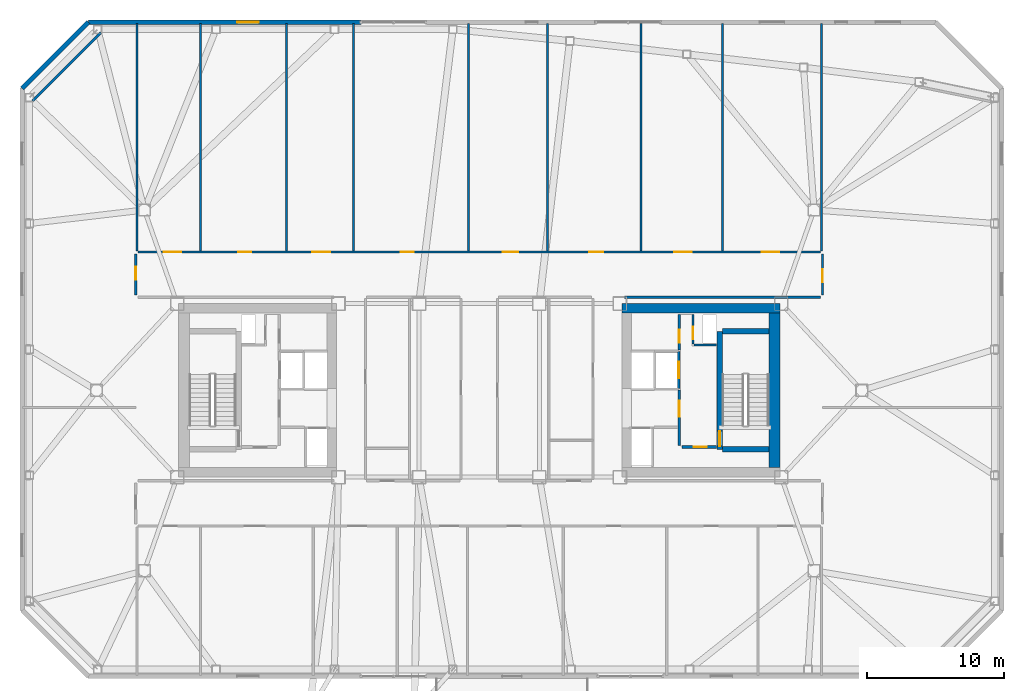
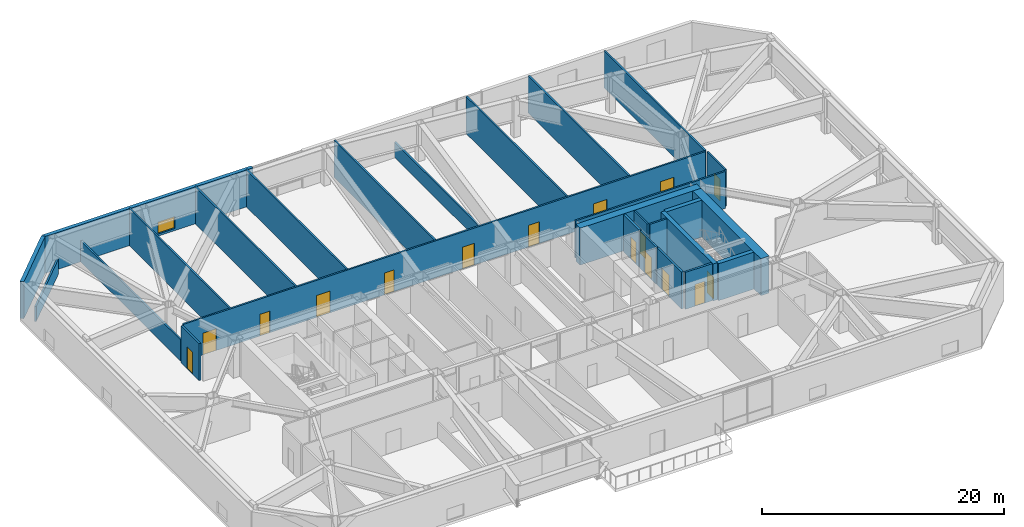
# One storey, part 12 of 18: 27 walls, 16 doors, 1 window, 17 openings.
"""IFC4 building model written with IfcOpenShell, lengths in metres."""

from ifc_helpers import new_model, si_unit, direction, frame, frame_2d, origin, place, context, subcontext, project, spatial, rectangle, extrude, material, layer, layer_set, type_object, element, fill, save


model = new_model("IFC4")

# Units and contexts
model_context = context("Model", 3, precision=1e-05, world=origin(), true_north=direction((0.0, 1.0)))
body_context = subcontext(model_context, "Body", "Model", "MODEL_VIEW")
ifc_project = project(units=[si_unit("LENGTHUNIT", "METRE"), si_unit("AREAUNIT", "SQUARE_METRE"), si_unit("VOLUMEUNIT", "CUBIC_METRE"), si_unit("PLANEANGLEUNIT", "RADIAN"), si_unit("MASSUNIT", "GRAM", prefix="KILO")], contexts=[model_context])

# Site, building, storey
site_placement = place(None, origin())
site = spatial("IfcSite", under=ifc_project, at=site_placement, CompositionType="ELEMENT")
building_placement = place(site_placement, origin())
building = spatial("IfcBuilding", under=site, at=building_placement, Name="Tavrogorsk Clinical Tower", CompositionType="ELEMENT")
storey_placement = place(building_placement, frame((0.0, 0.0, 152.199951171875)))
storey = spatial("IfcBuildingStorey", under=building, at=storey_placement, Name="L34", CompositionType="ELEMENT", Elevation=152.199951171875)

# Wall, opening, door
ifc_material_1 = material(Name="Concrete B60", Category="concrete")
ifc_layer_1 = layer(ifc_material_1, 0.199951171875)
ifc_layer_set_1 = layer_set([ifc_layer_1], Name="Concrete B60")
wall_type_1 = type_object("IfcWallType", Name="CoreFireWall_200", PredefinedType="SOLIDWALL", material=ifc_layer_set_1)
wall_1_placement = place(storey_placement, frame((14.824951171875, -4.139892578125, 0.0), z_axis=(0.0, 0.0, 1.0), x_axis=(1.0, 0.0, 0.0)))
wall_1 = element("IfcWall", 1, at=wall_1_placement, inside=storey, type_object=wall_type_1, Name="L34 Core East South Core Room Fire Wall", PredefinedType="SOLIDWALL", context=body_context, shape_type="SweptSolid", body=[
    extrude(rectangle(XDim=2.554931640625, YDim=0.199951171875, at=frame_2d((1.27734375, 0.0))), origin(), (0.0, 0.0, 1.0), 3.739990234375),
])
opening_1_placement = place(wall_1_placement, frame((0.8798828125, 0.0, 0.0)))
opening_1 = element("IfcOpeningElement", 2, at=opening_1_placement, cuts=wall_1, Name="Opening ID-02", PredefinedType="OPENING", context=body_context, shape_type="SweptSolid", body=[
    extrude(rectangle(XDim=0.949951171875, YDim=2.199951171875, at=frame_2d((0.47509765625, 1.10009765625))), frame((0.0, 0.10986328125, 0.0), z_axis=(0.0, -1.0, 0.0), x_axis=(1.0, 0.0, 0.0)), (0.0, 0.0, 1.0), 0.219970703125),
])
ifc_material_2 = material(Name="Laminated timber leaf on aluminium frame", Category="wood")
door_type_1 = type_object("IfcDoorType", Name="InteriorDoor_ID02_950", OperationType="NOTDEFINED", PredefinedType="DOOR", material=ifc_material_2)
door_1_placement = place(opening_1_placement, origin())
door_1 = element("IfcDoor", 3, at=door_1_placement, inside=storey, type_object=door_type_1, Name="L34 Core East South Core Room Door", OperationType="SINGLE_SWING_RIGHT", OverallHeight=2.199951171875, OverallWidth=0.949951171875, PredefinedType="DOOR", context=body_context, shape_type="SweptSolid", body=[
    extrude(rectangle(XDim=0.949951171875, YDim=2.199951171875, at=frame_2d((0.47509765625, 1.10009765625))), frame((0.0, 0.02490234375, 0.0), z_axis=(0.0, -1.0, 0.0), x_axis=(1.0, 0.0, 0.0)), (0.0, 0.0, 1.0), 0.050048828125),
])
fill(opening_1, door_1)

wall_2_placement = place(storey_placement, frame((14.639892578125, 2.9599609375, 0.0), z_axis=(0.0, 0.0, 1.0), x_axis=(0.0, 1.0, 0.0)))
wall_2 = element("IfcWall", 4, at=wall_2_placement, inside=storey, type_object=wall_type_1, Name="L34 Core East North Core Room East Wall", PredefinedType="SOLIDWALL", context=body_context, shape_type="SweptSolid", body=[
    extrude(rectangle(XDim=2.60009765625, YDim=0.199951171875, at=frame_2d((1.300048828125, 0.0))), origin(), (0.0, 0.0, 1.0), 3.739990234375),
])
opening_2_placement = place(wall_2_placement, frame((0.52001953125, 0.0, 0.0)))
opening_2 = element("IfcOpeningElement", 5, at=opening_2_placement, cuts=wall_2, Name="Opening ID-02", PredefinedType="OPENING", context=body_context, shape_type="SweptSolid", body=[
    extrude(rectangle(XDim=0.949951171875, YDim=2.199951171875, at=frame_2d((0.47509765625, 1.10009765625))), frame((0.0, 0.10986328125, 0.0), z_axis=(0.0, -1.0, 0.0), x_axis=(1.0, 0.0, 0.0)), (0.0, 0.0, 1.0), 0.219970703125),
])
door_2_placement = place(opening_2_placement, origin())
door_2 = element("IfcDoor", 6, at=door_2_placement, inside=storey, type_object=door_type_1, Name="L34 Core East Core Telemetry Room Door", OperationType="SINGLE_SWING_LEFT", OverallHeight=2.199951171875, OverallWidth=0.949951171875, PredefinedType="DOOR", context=body_context, shape_type="SweptSolid", body=[
    extrude(rectangle(XDim=0.949951171875, YDim=2.199951171875, at=frame_2d((0.47509765625, 1.10009765625))), frame((0.0, 0.02490234375, 0.0), z_axis=(0.0, -1.0, 0.0), x_axis=(1.0, 0.0, 0.0)), (0.0, 0.0, 1.0), 0.050048828125),
])
fill(opening_2, door_2)

wall_3_placement = place(storey_placement, frame((14.639892578125, -4.034912109375, 0.0), z_axis=(0.0, 0.0, 1.0), x_axis=(0.0, 1.0, 0.0)))
wall_3 = element("IfcWall", 7, at=wall_3_placement, inside=storey, type_object=wall_type_1, Name="L34 Core East Firefighting Lobby Fire Wall", PredefinedType="SOLIDWALL", context=body_context, shape_type="SweptSolid", body=[
    extrude(rectangle(XDim=4.074951171875, YDim=0.199951171875, at=frame_2d((2.03759765625, 0.0))), origin(), (0.0, 0.0, 1.0), 3.739990234375),
])
opening_3_placement = place(wall_3_placement, frame((2.090087890625, 0.0, 0.0)))
opening_3 = element("IfcOpeningElement", 8, at=opening_3_placement, cuts=wall_3, Name="Opening FD-01", PredefinedType="OPENING", context=body_context, shape_type="SweptSolid", body=[
    extrude(rectangle(XDim=1.199951171875, YDim=2.199951171875, at=frame_2d((0.60009765625, 1.10009765625))), frame((0.0, 0.10986328125, 0.0), z_axis=(0.0, -1.0, 0.0), x_axis=(1.0, 0.0, 0.0)), (0.0, 0.0, 1.0), 0.219970703125),
])
ifc_material_3 = material(Name="Galvanised steel fire-rated door assembly", Category="steel")
door_type_2 = type_object("IfcDoorType", Name="FireDoor_FD01_1200", OperationType="NOTDEFINED", PredefinedType="DOOR", material=ifc_material_3)
door_3_placement = place(opening_3_placement, origin())
door_3 = element("IfcDoor", 9, at=door_3_placement, inside=storey, type_object=door_type_2, Name="L34 Core East Firefighting Lobby Entry Door", OperationType="SINGLE_SWING_RIGHT", OverallHeight=2.199951171875, OverallWidth=1.199951171875, PredefinedType="DOOR", context=body_context, shape_type="SweptSolid", body=[
    extrude(rectangle(XDim=1.199951171875, YDim=2.199951171875, at=frame_2d((0.60009765625, 1.10009765625))), frame((0.0, 0.02490234375, 0.0), z_axis=(0.0, -1.0, 0.0), x_axis=(1.0, 0.0, 0.0)), (0.0, 0.0, 1.0), 0.050048828125),
])
fill(opening_3, door_3)

# Wall
ifc_material_4 = material(Name="Lightweight concrete blockwork B15", Category="masonry")
ifc_layer_2 = layer(ifc_material_4, 0.159912109375)
ifc_layer_set_2 = layer_set([ifc_layer_2], Name="Lightweight concrete blockwork B15")
wall_type_2 = type_object("IfcWallType", Name="PartitionWall_160", PredefinedType="PARTITIONING", material=ifc_layer_set_2)
wall_4_placement = place(storey_placement, frame((-27.6796875, 26.1796875, 0.0), z_axis=(0.0, 0.0, 1.0), x_axis=(-0.707106781187, -0.707106781187, 0.0)))
element("IfcWall", 10, at=wall_4_placement, inside=storey, type_object=wall_type_2, Name="L34 Corner Exoskeleton Brace Furring Wall 3", PredefinedType="PARTITIONING", context=body_context, shape_type="SweptSolid", body=[
    extrude(rectangle(XDim=7.071044921875, YDim=0.159912109375, at=frame_2d((3.53564453125, 0.0))), origin(), (0.0, 0.0, 1.0), 1.53515625),
])

# Wall, opening, door
wall_5_placement = place(storey_placement, frame((-25.1298828125, 6.985107421875, 0.0), z_axis=(0.0, 0.0, 1.0), x_axis=(0.0, 1.0, 0.0)))
wall_5 = element("IfcWall", 11, at=wall_5_placement, inside=storey, type_object=wall_type_2, Name="L34 Corridor Partition 04", PredefinedType="PARTITIONING", context=body_context, shape_type="SweptSolid", body=[
    extrude(rectangle(XDim=2.97998046875, YDim=0.159912109375, at=frame_2d((1.489990234375, 0.0))), origin(), (0.0, 0.0, 1.0), 3.739990234375),
])
opening_4_placement = place(wall_5_placement, frame((1.10009765625, 0.0, 0.0)))
opening_4 = element("IfcOpeningElement", 12, at=opening_4_placement, cuts=wall_5, Name="Opening ID-02", PredefinedType="OPENING", context=body_context, shape_type="SweptSolid", body=[
    extrude(rectangle(XDim=0.949951171875, YDim=2.199951171875, at=frame_2d((0.47509765625, 1.10009765625))), frame((0.0, 0.08984375, 0.0), z_axis=(0.0, -1.0, 0.0), x_axis=(1.0, 0.0, 0.0)), (0.0, 0.0, 1.0), 0.179931640625),
])
door_4_placement = place(opening_4_placement, origin())
door_4 = element("IfcDoor", 13, at=door_4_placement, inside=storey, type_object=door_type_1, Name="L34 W Rehabilitation Therapy Suite 2 Door", OperationType="SINGLE_SWING_RIGHT", OverallHeight=2.199951171875, OverallWidth=0.949951171875, PredefinedType="DOOR", context=body_context, shape_type="SweptSolid", body=[
    extrude(rectangle(XDim=0.949951171875, YDim=2.199951171875, at=frame_2d((0.47509765625, 1.10009765625))), frame((0.0, 0.02490234375, 0.0), z_axis=(0.0, -1.0, 0.0), x_axis=(1.0, 0.0, 0.0)), (0.0, 0.0, 1.0), 0.050048828125),
])
fill(opening_4, door_4)

# Wall, openings, doors
wall_6_placement = place(storey_placement, frame((-24.965087890625, 10.1298828125, 0.0), z_axis=(0.0, 0.0, 1.0), x_axis=(1.0, 0.0, 0.0)))
wall_6 = element("IfcWall", 14, at=wall_6_placement, inside=storey, type_object=wall_type_2, Name="L34 Corridor Partition 05", PredefinedType="PARTITIONING", context=body_context, shape_type="SweptSolid", body=[
    extrude(rectangle(XDim=49.93017578125, YDim=0.159912109375, at=frame_2d((24.965087890625, 0.0))), origin(), (0.0, 0.0, 1.0), 3.739990234375),
])
opening_5_placement = place(wall_6_placement, frame((1.869140625, 0.0, 0.0)))
opening_5 = element("IfcOpeningElement", 15, at=opening_5_placement, cuts=wall_6, Name="Opening ID-01", PredefinedType="OPENING", context=body_context, shape_type="SweptSolid", body=[
    extrude(rectangle(XDim=1.300048828125, YDim=2.199951171875, at=frame_2d((0.64990234375, 1.10009765625))), frame((0.0, 0.08984375, 0.0), z_axis=(0.0, -1.0, 0.0), x_axis=(1.0, 0.0, 0.0)), (0.0, 0.0, 1.0), 0.179931640625),
])
opening_6_placement = place(wall_6_placement, frame((7.330078125, 0.0, 0.0)))
opening_6 = element("IfcOpeningElement", 16, at=opening_6_placement, cuts=wall_6, Name="Opening ID-02", PredefinedType="OPENING", context=body_context, shape_type="SweptSolid", body=[
    extrude(rectangle(XDim=0.949951171875, YDim=2.199951171875, at=frame_2d((0.47509765625, 1.10009765625))), frame((0.0, 0.08984375, 0.0), z_axis=(0.0, -1.0, 0.0), x_axis=(1.0, 0.0, 0.0)), (0.0, 0.0, 1.0), 0.179931640625),
])
opening_7_placement = place(wall_6_placement, frame((12.7548828125, 0.0, 0.0)))
opening_7 = element("IfcOpeningElement", 17, at=opening_7_placement, cuts=wall_6, Name="Opening ID-01", PredefinedType="OPENING", context=body_context, shape_type="SweptSolid", body=[
    extrude(rectangle(XDim=1.300048828125, YDim=2.199951171875, at=frame_2d((0.64990234375, 1.10009765625))), frame((0.0, 0.08984375, 0.0), z_axis=(0.0, -1.0, 0.0), x_axis=(1.0, 0.0, 0.0)), (0.0, 0.0, 1.0), 0.179931640625),
])
opening_8_placement = place(wall_6_placement, frame((19.22509765625, 0.0, 0.0)))
opening_8 = element("IfcOpeningElement", 18, at=opening_8_placement, cuts=wall_6, Name="Opening ID-02", PredefinedType="OPENING", context=body_context, shape_type="SweptSolid", body=[
    extrude(rectangle(XDim=0.949951171875, YDim=2.199951171875, at=frame_2d((0.47509765625, 1.10009765625))), frame((0.0, 0.08984375, 0.0), z_axis=(0.0, -1.0, 0.0), x_axis=(1.0, 0.0, 0.0)), (0.0, 0.0, 1.0), 0.179931640625),
])
opening_9_placement = place(wall_6_placement, frame((26.68505859375, 0.0, 0.0)))
opening_9 = element("IfcOpeningElement", 19, at=opening_9_placement, cuts=wall_6, Name="Opening ID-06", PredefinedType="OPENING", context=body_context, shape_type="SweptSolid", body=[
    extrude(rectangle(XDim=1.14990234375, YDim=2.199951171875, at=frame_2d((0.574951171875, 1.10009765625))), frame((0.0, 0.08984375, 0.0), z_axis=(0.0, -1.0, 0.0), x_axis=(1.0, 0.0, 0.0)), (0.0, 0.0, 1.0), 0.179931640625),
])
opening_10_placement = place(wall_6_placement, frame((33.0, 0.0, 0.0)))
opening_10 = element("IfcOpeningElement", 20, at=opening_10_placement, cuts=wall_6, Name="Opening ID-04", PredefinedType="OPENING", context=body_context, shape_type="SweptSolid", body=[
    extrude(rectangle(XDim=1.050048828125, YDim=2.199951171875, at=frame_2d((0.52490234375, 1.10009765625))), frame((0.0, 0.08984375, 0.0), z_axis=(0.0, -1.0, 0.0), x_axis=(1.0, 0.0, 0.0)), (0.0, 0.0, 1.0), 0.179931640625),
])
opening_11_placement = place(wall_6_placement, frame((39.22509765625, 0.0, 0.0)))
opening_11 = element("IfcOpeningElement", 21, at=opening_11_placement, cuts=wall_6, Name="Opening ID-01", PredefinedType="OPENING", context=body_context, shape_type="SweptSolid", body=[
    extrude(rectangle(XDim=1.300048828125, YDim=2.199951171875, at=frame_2d((0.64990234375, 1.10009765625))), frame((0.0, 0.08984375, 0.0), z_axis=(0.0, -1.0, 0.0), x_axis=(1.0, 0.0, 0.0)), (0.0, 0.0, 1.0), 0.179931640625),
])
opening_12_placement = place(wall_6_placement, frame((45.630859375, 0.0, 0.0)))
opening_12 = element("IfcOpeningElement", 22, at=opening_12_placement, cuts=wall_6, Name="Opening ID-01", PredefinedType="OPENING", context=body_context, shape_type="SweptSolid", body=[
    extrude(rectangle(XDim=1.300048828125, YDim=2.199951171875, at=frame_2d((0.64990234375, 1.10009765625))), frame((0.0, 0.08984375, 0.0), z_axis=(0.0, -1.0, 0.0), x_axis=(1.0, 0.0, 0.0)), (0.0, 0.0, 1.0), 0.179931640625),
])
ifc_material_5 = material(Name="Antibacterial HPL consultation door on aluminium frame", Category="aluminium")
door_type_3 = type_object("IfcDoorType", Name="ConsultDoor_ID04_1050", OperationType="NOTDEFINED", PredefinedType="DOOR", material=ifc_material_5)
door_5_placement = place(opening_10_placement, origin())
door_5 = element("IfcDoor", 23, at=door_5_placement, inside=storey, type_object=door_type_3, Name="L34 North Physiotherapy Rehab Studio 04A Door", OperationType="SINGLE_SWING_RIGHT", OverallHeight=2.199951171875, OverallWidth=1.050048828125, PredefinedType="DOOR", context=body_context, shape_type="SweptSolid", body=[
    extrude(rectangle(XDim=1.050048828125, YDim=2.199951171875, at=frame_2d((0.52490234375, 1.10009765625))), frame((0.0, 0.02490234375, 0.0), z_axis=(0.0, -1.0, 0.0), x_axis=(1.0, 0.0, 0.0)), (0.0, 0.0, 1.0), 0.050048828125),
])
fill(opening_10, door_5)
door_6_placement = place(opening_6_placement, origin())
door_6 = element("IfcDoor", 24, at=door_6_placement, inside=storey, type_object=door_type_1, Name="L34 North Clinical Examination Suite 02A Door", OperationType="SINGLE_SWING_RIGHT", OverallHeight=2.199951171875, OverallWidth=0.949951171875, PredefinedType="DOOR", context=body_context, shape_type="SweptSolid", body=[
    extrude(rectangle(XDim=0.949951171875, YDim=2.199951171875, at=frame_2d((0.47509765625, 1.10009765625))), frame((0.0, 0.02490234375, 0.0), z_axis=(0.0, -1.0, 0.0), x_axis=(1.0, 0.0, 0.0)), (0.0, 0.0, 1.0), 0.050048828125),
])
fill(opening_6, door_6)
door_7_placement = place(opening_8_placement, origin())
door_7 = element("IfcDoor", 25, at=door_7_placement, inside=storey, type_object=door_type_1, Name="L34 North Diagnostic Ultrasound Suite 03A Door", OperationType="SINGLE_SWING_RIGHT", OverallHeight=2.199951171875, OverallWidth=0.949951171875, PredefinedType="DOOR", context=body_context, shape_type="SweptSolid", body=[
    extrude(rectangle(XDim=0.949951171875, YDim=2.199951171875, at=frame_2d((0.47509765625, 1.10009765625))), frame((0.0, 0.02490234375, 0.0), z_axis=(0.0, -1.0, 0.0), x_axis=(1.0, 0.0, 0.0)), (0.0, 0.0, 1.0), 0.050048828125),
])
fill(opening_8, door_7)
ifc_material_6 = material(Name="Antibacterial HPL procedure door on aluminium frame", Category="aluminium")
door_type_4 = type_object("IfcDoorType", Name="LabDoor_ID06_1150", OperationType="NOTDEFINED", PredefinedType="DOOR", material=ifc_material_6)
door_8_placement = place(opening_9_placement, origin())
door_8 = element("IfcDoor", 26, at=door_8_placement, inside=storey, type_object=door_type_4, Name="L34 North Multidisciplinary Case Room 03B Door", OperationType="SINGLE_SWING_LEFT", OverallHeight=2.199951171875, OverallWidth=1.14990234375, PredefinedType="DOOR", context=body_context, shape_type="SweptSolid", body=[
    extrude(rectangle(XDim=1.14990234375, YDim=2.199951171875, at=frame_2d((0.574951171875, 1.10009765625))), frame((0.0, 0.02490234375, 0.0), z_axis=(0.0, -1.0, 0.0), x_axis=(1.0, 0.0, 0.0)), (0.0, 0.0, 1.0), 0.050048828125),
])
fill(opening_9, door_8)
ifc_material_7 = material(Name="Antibacterial HPL medical leaf on aluminium frame", Category="aluminium")
door_type_5 = type_object("IfcDoorType", Name="WardBedDoor_ID01_1300", OperationType="NOTDEFINED", PredefinedType="DOOR", material=ifc_material_7)
door_9_placement = place(opening_5_placement, origin())
door_9 = element("IfcDoor", 27, at=door_9_placement, inside=storey, type_object=door_type_5, Name="L34 North Inpatient Clinical Ward 01 Door", OperationType="SINGLE_SWING_LEFT", OverallHeight=2.199951171875, OverallWidth=1.300048828125, PredefinedType="DOOR", context=body_context, shape_type="SweptSolid", body=[
    extrude(rectangle(XDim=1.300048828125, YDim=2.199951171875, at=frame_2d((0.64990234375, 1.10009765625))), frame((0.0, 0.02490234375, 0.0), z_axis=(0.0, -1.0, 0.0), x_axis=(1.0, 0.0, 0.0)), (0.0, 0.0, 1.0), 0.050048828125),
])
fill(opening_5, door_9)
door_10_placement = place(opening_7_placement, origin())
door_10 = element("IfcDoor", 28, at=door_10_placement, inside=storey, type_object=door_type_5, Name="L34 North Sub-Acute Recovery Ward 02B Door", OperationType="SINGLE_SWING_LEFT", OverallHeight=2.199951171875, OverallWidth=1.300048828125, PredefinedType="DOOR", context=body_context, shape_type="SweptSolid", body=[
    extrude(rectangle(XDim=1.300048828125, YDim=2.199951171875, at=frame_2d((0.64990234375, 1.10009765625))), frame((0.0, 0.02490234375, 0.0), z_axis=(0.0, -1.0, 0.0), x_axis=(1.0, 0.0, 0.0)), (0.0, 0.0, 1.0), 0.050048828125),
])
fill(opening_7, door_10)
door_11_placement = place(opening_11_placement, origin())
door_11 = element("IfcDoor", 29, at=door_11_placement, inside=storey, type_object=door_type_5, Name="L34 North Inpatient Clinical Ward 04B Door", OperationType="SINGLE_SWING_LEFT", OverallHeight=2.199951171875, OverallWidth=1.300048828125, PredefinedType="DOOR", context=body_context, shape_type="SweptSolid", body=[
    extrude(rectangle(XDim=1.300048828125, YDim=2.199951171875, at=frame_2d((0.64990234375, 1.10009765625))), frame((0.0, 0.02490234375, 0.0), z_axis=(0.0, -1.0, 0.0), x_axis=(1.0, 0.0, 0.0)), (0.0, 0.0, 1.0), 0.050048828125),
])
fill(opening_11, door_11)
door_12_placement = place(opening_12_placement, origin())
door_12 = element("IfcDoor", 30, at=door_12_placement, inside=storey, type_object=door_type_5, Name="L34 North Step-Down Telemetry Ward 05 Door", OperationType="SINGLE_SWING_RIGHT", OverallHeight=2.199951171875, OverallWidth=1.300048828125, PredefinedType="DOOR", context=body_context, shape_type="SweptSolid", body=[
    extrude(rectangle(XDim=1.300048828125, YDim=2.199951171875, at=frame_2d((0.64990234375, 1.10009765625))), frame((0.0, 0.02490234375, 0.0), z_axis=(0.0, -1.0, 0.0), x_axis=(1.0, 0.0, 0.0)), (0.0, 0.0, 1.0), 0.050048828125),
])
fill(opening_12, door_12)

# Wall, opening, door
wall_7_placement = place(storey_placement, frame((25.1298828125, 9.965087890625, 0.0), z_axis=(0.0, 0.0, 1.0), x_axis=(0.0, -1.0, 0.0)))
wall_7 = element("IfcWall", 31, at=wall_7_placement, inside=storey, type_object=wall_type_2, Name="L34 Corridor Partition 06", PredefinedType="PARTITIONING", context=body_context, shape_type="SweptSolid", body=[
    extrude(rectangle(XDim=2.97998046875, YDim=0.159912109375, at=frame_2d((1.489990234375, 0.0))), origin(), (0.0, 0.0, 1.0), 3.739990234375),
])
opening_13_placement = place(wall_7_placement, frame((1.10009765625, 0.0, 0.0)))
opening_13 = element("IfcOpeningElement", 32, at=opening_13_placement, cuts=wall_7, Name="Opening ID-02", PredefinedType="OPENING", context=body_context, shape_type="SweptSolid", body=[
    extrude(rectangle(XDim=0.949951171875, YDim=2.199951171875, at=frame_2d((0.47509765625, 1.10009765625))), frame((0.0, 0.08984375, 0.0), z_axis=(0.0, -1.0, 0.0), x_axis=(1.0, 0.0, 0.0)), (0.0, 0.0, 1.0), 0.179931640625),
])
door_13_placement = place(opening_13_placement, origin())
door_13 = element("IfcDoor", 33, at=door_13_placement, inside=storey, type_object=door_type_1, Name="L34 E Multidisciplinary Seminar Suite 2 Door", OperationType="SINGLE_SWING_RIGHT", OverallHeight=2.199951171875, OverallWidth=0.949951171875, PredefinedType="DOOR", context=body_context, shape_type="SweptSolid", body=[
    extrude(rectangle(XDim=0.949951171875, YDim=2.199951171875, at=frame_2d((0.47509765625, 1.10009765625))), frame((0.0, 0.02490234375, 0.0), z_axis=(0.0, -1.0, 0.0), x_axis=(1.0, 0.0, 0.0)), (0.0, 0.0, 1.0), 0.050048828125),
])
fill(opening_13, door_13)

# Walls
wall_8_placement = place(storey_placement, frame((24.965087890625, 6.820068359375, 0.0), z_axis=(0.0, 0.0, 1.0), x_axis=(-1.0, 0.0, 0.0)))
element("IfcWall", 34, at=wall_8_placement, inside=storey, type_object=wall_type_2, Name="L34 Corridor Partition 07", PredefinedType="PARTITIONING", context=body_context, shape_type="SweptSolid", body=[
    extrude(rectangle(XDim=14.335205078125, YDim=0.159912109375, at=frame_2d((7.16748046875, 0.0))), origin(), (0.0, 0.0, 1.0), 3.739990234375),
])
wall_9_placement = place(storey_placement, frame((-25.050048828125, 10.215087890625, 0.0), z_axis=(0.0, 0.0, 1.0), x_axis=(0.0, 1.0, 0.0)))
element("IfcWall", 35, at=wall_9_placement, inside=storey, type_object=wall_type_2, Name="L34 NW Wing Closure Partition", PredefinedType="PARTITIONING", context=body_context, shape_type="SweptSolid", body=[
    extrude(rectangle(XDim=16.64501953125, YDim=0.159912109375, at=frame_2d((8.322509765625, 0.0))), origin(), (0.0, 0.0, 1.0), 2.135009765625),
])
for number, where, z_axis, x_axis, name in (
    (36, (25.050048828125, 10.215087890625, 0.0), (0.0, 0.0, 1.0), (0.0, 1.0, 0.0), "L34 NE Wing Closure Partition"),
    (37, (-20.39990234375, 10.215087890625, 0.0), (0.0, 0.0, 1.0), (0.0, 1.0, 0.0), "L34 North Room Partition 1"),
    (38, (-9.199951171875, 10.215087890625, 0.0), (0.0, 0.0, 1.0), (0.0, 1.0, 0.0), "L34 North Room Partition 2"),
):
    element("IfcWall", number, at=place(storey_placement, frame(where, z_axis=z_axis, x_axis=x_axis)), inside=storey, type_object=wall_type_2, Name=name, PredefinedType="PARTITIONING", context=body_context, shape_type="SweptSolid", body=[
        extrude(rectangle(XDim=16.64501953125, YDim=0.159912109375, at=frame_2d((8.322509765625, 0.0))), origin(), (0.0, 0.0, 1.0), 3.739990234375),
    ])
wall_10_placement = place(storey_placement, frame((5.0, 10.215087890625, 0.0), z_axis=(0.0, 0.0, 1.0), x_axis=(0.0, 1.0, 0.0)))
element("IfcWall", 39, at=wall_10_placement, inside=storey, type_object=wall_type_2, Name="L34 North Room Partition 3", PredefinedType="PARTITIONING", context=body_context, shape_type="SweptSolid", body=[
    extrude(rectangle(XDim=16.64501953125, YDim=0.159912109375, at=frame_2d((8.322509765625, 0.0))), origin(), (0.0, 0.0, 1.0), 1.53515625),
])
for number, where, z_axis, x_axis, name in (
    (40, (17.800048828125, 10.215087890625, 0.0), (0.0, 0.0, 1.0), (0.0, 1.0, 0.0), "L34 North Room Partition 4"),
    (41, (-14.090087890625, 10.215087890625, 0.0), (0.0, 0.0, 1.0), (0.0, 1.0, 0.0), "L34 North Sub-Partition 2"),
    (42, (-0.780029296875, 10.215087890625, 0.0), (0.0, 0.0, 1.0), (0.0, 1.0, 0.0), "L34 North Sub-Partition 3"),
    (43, (11.85009765625, 10.215087890625, 0.0), (0.0, 0.0, 1.0), (0.0, 1.0, 0.0), "L34 North Sub-Partition 4"),
):
    element("IfcWall", number, at=place(storey_placement, frame(where, z_axis=z_axis, x_axis=x_axis)), inside=storey, type_object=wall_type_2, Name=name, PredefinedType="PARTITIONING", context=body_context, shape_type="SweptSolid", body=[
        extrude(rectangle(XDim=16.64501953125, YDim=0.159912109375, at=frame_2d((8.322509765625, 0.0))), origin(), (0.0, 0.0, 1.0), 3.739990234375),
    ])

# Wall, opening, window
ifc_material_8 = material(Name="Precast concrete B45 with limestone cladding", Category="masonry")
ifc_layer_3 = layer(ifc_material_8, 0.340087890625)
ifc_layer_set_3 = layer_set([ifc_layer_3], Name="Precast concrete B45 with limestone cladding")
wall_type_3 = type_object("IfcWallType", Name="PrecastLimestoneWall_340", PredefinedType="STANDARD", material=ifc_layer_set_3)
wall_11_placement = place(storey_placement, frame((-8.662841796875, 26.929931640625, 0.0), z_axis=(0.0, 0.0, 1.0), x_axis=(-1.0, 0.0, 0.0)))
wall_11 = element("IfcWall", 44, at=wall_11_placement, inside=storey, type_object=wall_type_3, Name="L34 N Limestone Facade Wall 3", PredefinedType="STANDARD", context=body_context, shape_type="SweptSolid", body=[
    extrude(rectangle(XDim=19.937255859375, YDim=0.340087890625, at=frame_2d((9.96875, 0.0))), origin(), (0.0, 0.0, 1.0), 3.739990234375),
])
opening_14_placement = place(wall_11_placement, frame((7.455322265625, 0.0, 0.219970703125)))
opening_14 = element("IfcOpeningElement", 45, at=opening_14_placement, cuts=wall_11, Name="Opening WN-09", PredefinedType="OPENING", context=body_context, shape_type="SweptSolid", body=[
    extrude(rectangle(XDim=1.60009765625, YDim=1.199951171875, at=frame_2d((0.800048828125, 0.60009765625))), frame((0.0, 0.179931640625, 0.0), z_axis=(0.0, -1.0, 0.0), x_axis=(1.0, 0.0, 0.0)), (0.0, 0.0, 1.0), 0.360107421875),
])
ifc_material_9 = material(Name="Thermally broken aluminium frame and triple IGU", Category="aluminium")
window_type = type_object("IfcWindowType", Name="LowHeadTransWin_1600x1200", PartitioningType="DOUBLE_PANEL_VERTICAL", PredefinedType="WINDOW", material=ifc_material_9)
window_placement = place(opening_14_placement, origin())
window = element("IfcWindow", 46, at=window_placement, inside=storey, type_object=window_type, Name="L34 N Chicago Window 03", OverallHeight=1.199951171875, OverallWidth=1.60009765625, PartitioningType="SINGLE_PANEL", PredefinedType="WINDOW", context=body_context, shape_type="SweptSolid", body=[
    extrude(rectangle(XDim=1.60009765625, YDim=1.199951171875, at=frame_2d((0.800048828125, 0.60009765625))), frame((0.0, 0.030029296875, 0.0), z_axis=(0.0, -1.0, 0.0), x_axis=(1.0, 0.0, 0.0)), (0.0, 0.0, 1.0), 0.06005859375),
])
fill(opening_14, window)

# Wall
wall_12_placement = place(storey_placement, frame((-28.60009765625, 26.929931640625, 0.0), z_axis=(0.0, 0.0, 1.0), x_axis=(-0.707106781187, -0.707106781187, 0.0)))
element("IfcWall", 47, at=wall_12_placement, inside=storey, type_object=wall_type_3, Name="L34 Chamfered Corner Wall 3", PredefinedType="STANDARD", context=body_context, shape_type="SweptSolid", body=[
    extrude(rectangle(XDim=6.830322265625, YDim=0.340087890625, at=frame_2d((3.4150390625, 0.0))), origin(), (0.0, 0.0, 1.0), 3.739990234375),
])

# Wall, opening, door
ifc_material_10 = material(Name="Lightweight concrete blockwork B25", Category="masonry")
ifc_layer_4 = layer(ifc_material_10, 0.159912109375)
ifc_layer_set_4 = layer_set([ifc_layer_4], Name="Lightweight concrete blockwork B25")
wall_type_4 = type_object("IfcWallType", Name="ShaftWall_160", PredefinedType="PARTITIONING", material=ifc_layer_set_4)
wall_13_placement = place(storey_placement, frame((14.60009765625, 0.1201171875, 0.0), z_axis=(0.0, 0.0, 1.0), x_axis=(0.0, 1.0, 0.0)))
wall_13 = element("IfcWall", 48, at=wall_13_placement, inside=storey, type_object=wall_type_4, Name="L34 FFL-E Firefighting Lift Front Wall", PredefinedType="PARTITIONING", context=body_context, shape_type="SweptSolid", body=[
    extrude(rectangle(XDim=2.739990234375, YDim=0.159912109375, at=frame_2d((1.3701171875, 0.0))), origin(), (0.0, 0.0, 1.0), 3.739990234375),
])
opening_15_placement = place(wall_13_placement, frame((0.77001953125, 0.0, 0.0)))
opening_15 = element("IfcOpeningElement", 49, at=opening_15_placement, cuts=wall_13, Name="Opening LD", PredefinedType="OPENING", context=body_context, shape_type="SweptSolid", body=[
    extrude(rectangle(XDim=1.199951171875, YDim=2.199951171875, at=frame_2d((0.60009765625, 1.10009765625))), frame((0.0, 0.08984375, 0.0), z_axis=(0.0, -1.0, 0.0), x_axis=(1.0, 0.0, 0.0)), (0.0, 0.0, 1.0), 0.179931640625),
])
ifc_material_11 = material(Name="Brushed stainless steel AISI 304 sliding doors", Category="steel")
door_type_6 = type_object("IfcDoorType", Name="LiftLandingDoor_LD_1200", OperationType="SLIDING_TO_LEFT", PredefinedType="DOOR", material=ifc_material_11)
door_14_placement = place(opening_15_placement, origin())
door_14 = element("IfcDoor", 50, at=door_14_placement, inside=storey, type_object=door_type_6, Name="L34 FFL-E Sliding Lift Landing Door", OperationType="SLIDING_TO_LEFT", OverallHeight=2.199951171875, OverallWidth=1.199951171875, PredefinedType="DOOR", context=body_context, shape_type="SweptSolid", body=[
    extrude(rectangle(XDim=1.199951171875, YDim=2.199951171875, at=frame_2d((0.60009765625, 1.10009765625))), frame((0.0, 0.02490234375, 0.0), z_axis=(0.0, -1.0, 0.0), x_axis=(1.0, 0.0, 0.0)), (0.0, 0.0, 1.0), 0.050048828125),
])
fill(opening_15, door_14)

wall_14_placement = place(storey_placement, frame((15.639892578125, 3.405029296875, 0.0), z_axis=(0.0, 0.0, 1.0), x_axis=(0.0, 1.0, 0.0)))
wall_14 = element("IfcWall", 51, at=wall_14_placement, inside=storey, type_object=wall_type_4, Name="L34 Core East Riser West Wall", PredefinedType="PARTITIONING", context=body_context, shape_type="SweptSolid", body=[
    extrude(rectangle(XDim=2.155029296875, YDim=0.159912109375, at=frame_2d((1.07763671875, 0.0))), origin(), (0.0, 0.0, 1.0), 3.739990234375),
])
opening_16_placement = place(wall_14_placement, frame((0.35009765625, 0.0, 0.0)))
opening_16 = element("IfcOpeningElement", 52, at=opening_16_placement, cuts=wall_14, Name="Opening FD-02", PredefinedType="OPENING", context=body_context, shape_type="SweptSolid", body=[
    extrude(rectangle(XDim=0.89990234375, YDim=2.199951171875, at=frame_2d((0.449951171875, 1.10009765625))), frame((0.0, 0.08984375, 0.0), z_axis=(0.0, -1.0, 0.0), x_axis=(1.0, 0.0, 0.0)), (0.0, 0.0, 1.0), 0.179931640625),
])
ifc_material_12 = material(Name="Galvanised steel fire-rated door assembly", Category="steel")
door_type_7 = type_object("IfcDoorType", Name="FireDoor_FD02_900", OperationType="NOTDEFINED", PredefinedType="DOOR", material=ifc_material_12)
door_15_placement = place(opening_16_placement, origin())
door_15 = element("IfcDoor", 53, at=door_15_placement, inside=storey, type_object=door_type_7, Name="L34 Core East Electrical Riser Access Door", OperationType="SINGLE_SWING_LEFT", OverallHeight=2.199951171875, OverallWidth=0.89990234375, PredefinedType="DOOR", context=body_context, shape_type="SweptSolid", body=[
    extrude(rectangle(XDim=0.89990234375, YDim=2.199951171875, at=frame_2d((0.449951171875, 1.10009765625))), frame((0.0, 0.02490234375, 0.0), z_axis=(0.0, -1.0, 0.0), x_axis=(1.0, 0.0, 0.0)), (0.0, 0.0, 1.0), 0.050048828125),
])
fill(opening_16, door_15)

# Wall
wall_15_placement = place(storey_placement, frame((15.72509765625, 3.320068359375, 0.0), z_axis=(0.0, 0.0, 1.0), x_axis=(1.0, 0.0, 0.0)))
element("IfcWall", 54, at=wall_15_placement, inside=storey, type_object=wall_type_4, Name="L34 Core East Riser South Wall", PredefinedType="PARTITIONING", context=body_context, shape_type="SweptSolid", body=[
    extrude(rectangle(XDim=1.65478515625, YDim=0.159912109375, at=frame_2d((0.827392578125, 0.0))), origin(), (0.0, 0.0, 1.0), 3.739990234375),
])

# Wall, opening, door
ifc_material_13 = material(Name="Concrete B80", Category="concrete")
ifc_layer_5 = layer(ifc_material_13, 0.39990234375)
ifc_layer_set_5 = layer_set([ifc_layer_5], Name="Concrete B80")
wall_type_5 = type_object("IfcWallType", Name="ShearWall_400", PredefinedType="SHEAR", material=ifc_layer_set_5)
wall_16_placement = place(storey_placement, frame((17.60009765625, -4.324951171875, 0.0), z_axis=(0.0, 0.0, 1.0), x_axis=(0.0, 1.0, 0.0)))
wall_16 = element("IfcWall", 55, at=wall_16_placement, inside=storey, type_object=wall_type_5, Name="L34 Core East Stair Shaft Inner Shear Wall", PredefinedType="SHEAR", context=body_context, shape_type="SweptSolid", body=[
    extrude(rectangle(XDim=8.64990234375, YDim=0.39990234375, at=frame_2d((4.324951171875, 0.0))), origin(), (0.0, 0.0, 1.0), 3.739990234375),
])
opening_17_placement = place(wall_16_placement, frame((0.25, 0.0, 0.0)))
opening_17 = element("IfcOpeningElement", 56, at=opening_17_placement, cuts=wall_16, Name="Opening SD-01", PredefinedType="OPENING", context=body_context, shape_type="SweptSolid", body=[
    extrude(rectangle(XDim=1.10009765625, YDim=2.199951171875, at=frame_2d((0.550048828125, 1.10009765625))), frame((0.0, 0.2099609375, 0.0), z_axis=(0.0, -1.0, 0.0), x_axis=(1.0, 0.0, 0.0)), (0.0, 0.0, 1.0), 0.419921875),
])
ifc_material_14 = material(Name="Galvanised steel smoke-tight fire door assembly", Category="steel")
door_type_8 = type_object("IfcDoorType", Name="StairFireDoor_SD01_1100", OperationType="NOTDEFINED", PredefinedType="DOOR", material=ifc_material_14)
door_16_placement = place(opening_17_placement, origin())
door_16 = element("IfcDoor", 57, at=door_16_placement, inside=storey, type_object=door_type_8, Name="L34 ST-E Exit Stair Door", OperationType="SINGLE_SWING_RIGHT", OverallHeight=2.199951171875, OverallWidth=1.10009765625, PredefinedType="DOOR", context=body_context, shape_type="SweptSolid", body=[
    extrude(rectangle(XDim=1.10009765625, YDim=2.199951171875, at=frame_2d((0.550048828125, 1.10009765625))), frame((0.0, 0.02490234375, 0.0), z_axis=(0.0, -1.0, 0.0), x_axis=(1.0, 0.0, 0.0)), (0.0, 0.0, 1.0), 0.050048828125),
])
fill(opening_17, door_16)

# Walls
for number, where, z_axis, x_axis, name in (
    (58, (17.800048828125, -4.324951171875, 0.0), (0.0, 0.0, 1.0), (1.0, 0.0, 0.0), "L34 Core East Stair Shaft South Shear Wall"),
    (59, (17.800048828125, 4.324951171875, 0.0), (0.0, 0.0, 1.0), (1.0, 0.0, 0.0), "L34 Core East Stair Shaft North Shear Wall"),
):
    element("IfcWall", number, at=place(storey_placement, frame(where, z_axis=z_axis, x_axis=x_axis)), inside=storey, type_object=wall_type_5, Name=name, PredefinedType="SHEAR", context=body_context, shape_type="SweptSolid", body=[
        extrude(rectangle(XDim=3.39990234375, YDim=0.39990234375, at=frame_2d((1.699951171875, 0.0))), origin(), (0.0, 0.0, 1.0), 3.739990234375),
    ])
ifc_material_15 = material(Name="Concrete B80", Category="concrete")
ifc_layer_6 = layer(ifc_material_15, 0.699951171875)
ifc_layer_set_6 = layer_set([ifc_layer_6], Name="Concrete B80")
wall_type_6 = type_object("IfcWallType", Name="ShearWall_700", PredefinedType="SHEAR", material=ifc_layer_set_6)
wall_17_placement = place(storey_placement, frame((10.449951171875, 6.0, 0.0), z_axis=(0.0, 0.0, 1.0), x_axis=(1.0, 0.0, 0.0)))
element("IfcWall", 60, at=wall_17_placement, inside=storey, type_object=wall_type_6, Name="L34 Core East North Shear Wall", PredefinedType="SHEAR", context=body_context, shape_type="SweptSolid", body=[
    extrude(rectangle(XDim=11.550048828125, YDim=0.699951171875, at=frame_2d((5.77490234375, 0.0))), origin(), (0.0, 0.0, 1.0), 3.739990234375),
])
ifc_material_16 = material(Name="Concrete B80", Category="concrete")
ifc_layer_7 = layer(ifc_material_16, 0.800048828125)
ifc_layer_set_7 = layer_set([ifc_layer_7], Name="Concrete B80")
wall_type_7 = type_object("IfcWallType", Name="ShearWall_800", PredefinedType="SHEAR", material=ifc_layer_set_7)
wall_18_placement = place(storey_placement, frame((21.60009765625, -5.64990234375, 0.0), z_axis=(0.0, 0.0, 1.0), x_axis=(0.0, 1.0, 0.0)))
element("IfcWall", 61, at=wall_18_placement, inside=storey, type_object=wall_type_7, Name="L34 Core East End Shear Wall", PredefinedType="SHEAR", context=body_context, shape_type="SweptSolid", body=[
    extrude(rectangle(XDim=11.2998046875, YDim=0.800048828125, at=frame_2d((5.64990234375, 0.0))), origin(), (0.0, 0.0, 1.0), 3.739990234375),
])

save(model, "model.ifc")
